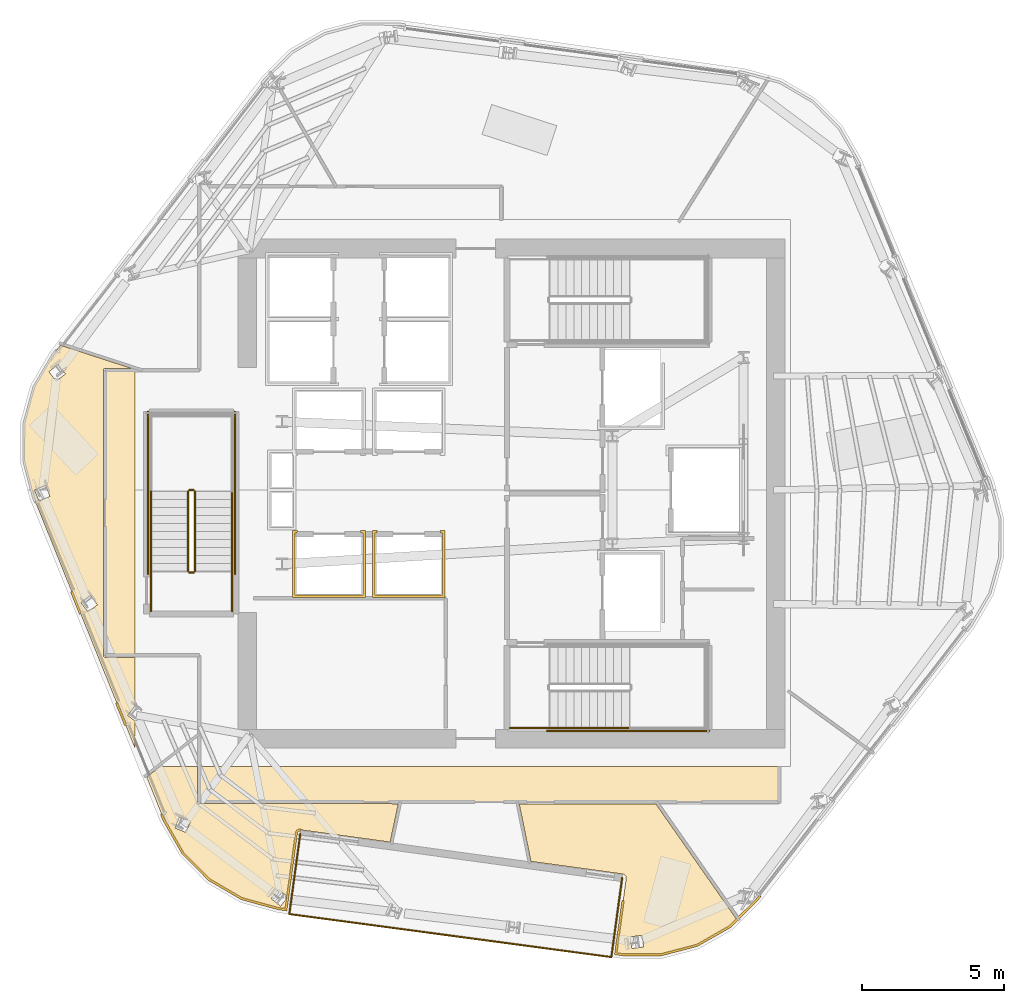
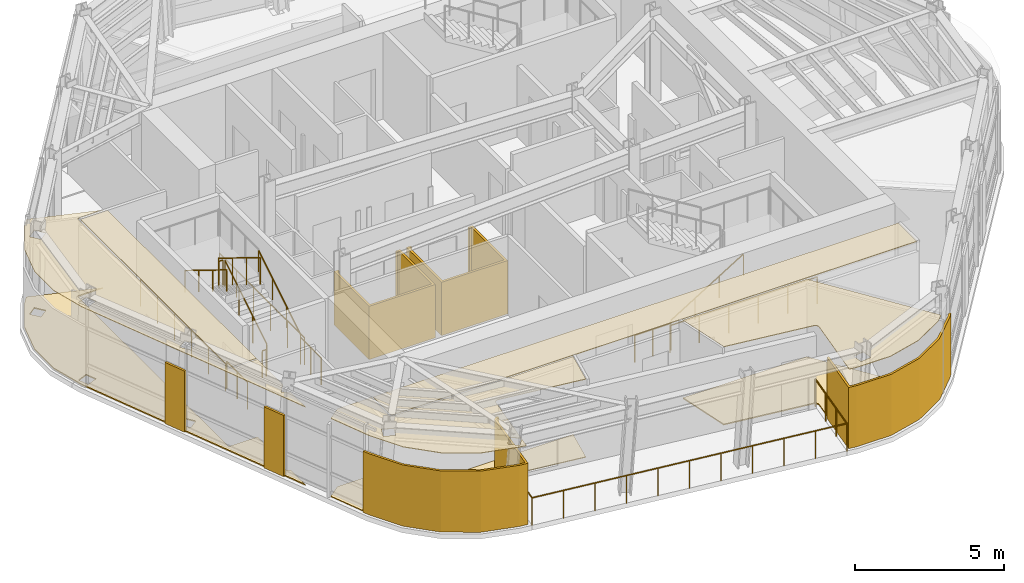
# One storey, part 8 of 12: 16 railings, 14 coverings.
"""IFC4 building model written with IfcOpenShell, lengths in metres."""

from ifc_helpers import new_model, si_unit, direction, frame, origin, origin_2d, place, context, subcontext, project, spatial, polyline, circle, outline, extrude, material, layer, layer_set, type_object, element, save


model = new_model("IFC4")

# Units and contexts
model_context = context("Model", 3, precision=1e-05, world=origin(), true_north=direction((0.0, 1.0)))
body_context = subcontext(model_context, "Body", "Model", "MODEL_VIEW")
ifc_project = project(units=[si_unit("LENGTHUNIT", "METRE"), si_unit("AREAUNIT", "SQUARE_METRE"), si_unit("VOLUMEUNIT", "CUBIC_METRE"), si_unit("PLANEANGLEUNIT", "RADIAN"), si_unit("MASSUNIT", "GRAM", prefix="KILO")], contexts=[model_context])

# Site, building, storey
site_placement = place(None, origin())
site = spatial("IfcSite", under=ifc_project, at=site_placement, CompositionType="ELEMENT")
building_placement = place(site_placement, origin())
building = spatial("IfcBuilding", under=site, at=building_placement, Name="Valkerne Bourse Tower", CompositionType="ELEMENT")
storey_placement = place(building_placement, frame((0.0, 0.0, 247.39990234375)))
storey = spatial("IfcBuildingStorey", under=building, at=storey_placement, Name="L63", CompositionType="ELEMENT", Elevation=247.39990234375)

# Coverings
ifc_material_1 = material(Name="Mineral Fiber Acoustic Ceiling Tile", Category="acoustic")
ifc_layer_1 = layer(ifc_material_1, 0.02490234375)
ifc_layer_set_1 = layer_set([ifc_layer_1], Name="Mineral Fiber Acoustic Ceiling Tile")
covering_type_1 = type_object("IfcCoveringType", Name="COV-CEIL-ACT", PredefinedType="CEILING", material=ifc_layer_set_1)
covering_1_placement = place(storey_placement, frame((0.0, 0.0, 3.190185546875)))
element("IfcCovering", 1, at=covering_1_placement, inside=storey, type_object=covering_type_1, Name="L63 Suspended Ceiling 04", PredefinedType="CEILING", context=body_context, shape_type="SweptSolid", body=[
    extrude(outline(polyline([(34.612060546875, 15.4248046875), (34.00439453125, 16.927978515625), (34.48046875, 17.300048828125), (35.781005859375, 17.300048828125), (35.781005859375, 16.059326171875), (35.794189453125, 16.019287109375), (35.8271484375, 15.99462890625), (42.83349609375, 15.990966796875), (42.54736328125, 14.64501953125), (39.412841796875, 15.074462890625), (39.35693359375, 15.0712890625), (39.2958984375, 15.03759765625), (39.269287109375, 15.00439453125), (39.2509765625, 14.95166015625), (38.947265625, 12.734130859375), (38.63037109375, 12.979248046875), (38.62841796875, 12.98046875), (38.37646484375, 12.654541015625), (38.70361328125, 12.401611328125), (38.70556640625, 12.400390625), (38.943603515625, 12.708740234375), (38.885009765625, 12.28076171875), (38.61962890625, 12.316162109375), (37.337890625, 12.6669921875), (36.198486328125, 13.332763671875), (35.2705078125, 14.2705078125), (34.612060546875, 15.4248046875)]), holes=[polyline([(35.538818359375, 15.3671875), (35.158935546875, 15.524658203125), (34.999755859375, 15.14208984375), (35.00146484375, 15.140380859375), (35.381103515625, 14.983154296875), (35.54052734375, 15.365478515625), (35.538818359375, 15.3671875)])]), origin(), (0.0, 0.0, 1.0), 0.02490234375),
])
covering_2_placement = place(storey_placement, frame((0.0, 0.0, 3.190185546875)))
element("IfcCovering", 2, at=covering_2_placement, inside=storey, type_object=covering_type_1, Name="L63 Suspended Ceiling 06", PredefinedType="CEILING", context=body_context, shape_type="SweptSolid", body=[
    extrude(outline(polyline([(52.04150390625, 10.693603515625), (50.71240234375, 10.700439453125), (50.47021484375, 10.73291015625), (50.830810546875, 13.365478515625), (50.82763671875, 13.421142578125), (50.810791015625, 13.460205078125), (50.760986328125, 13.509033203125), (50.7080078125, 13.52734375), (47.48779296875, 13.968505859375), (47.076171875, 15.990966796875), (51.8662109375, 15.990966796875), (54.7119140625, 11.92724609375), (54.464111328125, 11.68212890625), (53.31787109375, 11.028564453125), (52.04150390625, 10.693603515625)]), holes=[polyline([(51.440185546875, 10.964599609375), (51.386962890625, 11.372802734375), (50.976806640625, 11.319580078125), (50.974609375, 11.319091796875), (51.028076171875, 10.91064453125), (51.43798828125, 10.9638671875), (51.440185546875, 10.964599609375)])]), origin(), (0.0, 0.0, 1.0), 0.02490234375),
])
covering_3_placement = place(storey_placement, frame((0.0, 0.0, 3.190185546875)))
element("IfcCovering", 3, at=covering_3_placement, inside=storey, type_object=covering_type_1, Name="L63 Suspended Ceiling 08", PredefinedType="CEILING", context=body_context, shape_type="SweptSolid", body=[
    extrude(outline(polyline([(29.709228515625, 29.341064453125), (30.0576171875, 30.614013671875), (30.728271484375, 31.76171875), (30.9736328125, 32.080322265625), (33.470458984375, 31.26904296875), (32.54541015625, 31.268798828125), (32.503173828125, 31.2509765625), (32.481689453125, 31.2099609375), (32.48291015625, 21.18359375), (32.50830078125, 21.144775390625), (32.54931640625, 21.131103515625), (33.60009765625, 21.131103515625), (33.60009765625, 19.413330078125), (33.58837890625, 19.422119140625), (33.337158203125, 19.0927734375), (33.33837890625, 19.0908203125), (33.60009765625, 18.89208984375), (33.60009765625, 17.92822265625), (30.039794921875, 26.73583984375), (29.702392578125, 28.021484375), (29.709228515625, 29.341064453125)]), holes=[polyline([(32.273193359375, 22.9716796875), (32.025634765625, 23.300048828125), (31.6943359375, 23.05126953125), (31.695068359375, 23.049072265625), (31.9423828125, 22.720703125), (32.273681640625, 22.969482421875), (32.273193359375, 22.9716796875)]), polyline([(30.61083984375, 26.778076171875), (30.45458984375, 27.158447265625), (30.0712890625, 27.00146484375), (30.0712890625, 26.999267578125), (30.227294921875, 26.618896484375), (30.61083984375, 26.775634765625), (30.61083984375, 26.778076171875)]), polyline([(31.15234375, 31.07373046875), (30.900390625, 31.40234375), (30.573486328125, 31.15283203125), (30.57275390625, 31.150390625), (30.82470703125, 30.822021484375), (31.151611328125, 31.0712890625), (31.15234375, 31.07373046875)])]), origin(), (0.0, 0.0, 1.0), 0.02490234375),
])
ifc_material_2 = material(Name="Bronze Anodised Aluminium AA 6063-T6", Category="aluminium")
ifc_layer_2 = layer(ifc_material_2, 0.030029296875)
ifc_layer_set_2 = layer_set([ifc_layer_2], Name="Bronze Anodised Aluminium AA 6063-T6")
covering_type_2 = type_object("IfcCoveringType", Name="COV-CEIL-METAL", PredefinedType="CEILING", material=ifc_layer_set_2)
covering_4_placement = place(storey_placement, frame((0.0, 0.0, 3.190185546875)))
element("IfcCovering", 4, at=covering_4_placement, inside=storey, type_object=covering_type_2, Name="L63 Suspended Ceiling 01", PredefinedType="CEILING", context=body_context, shape_type="SweptSolid", body=[
    extrude(outline(polyline([(35.85400390625, 17.300048828125), (56.196044921875, 17.300048828125), (56.196044921875, 16.06396484375), (35.85400390625, 16.06396484375), (35.85400390625, 17.300048828125)])), origin(), (0.0, 0.0, 1.0), 0.02490234375),
])
covering_5_placement = place(storey_placement, frame((0.0, 0.0, 3.190185546875)))
element("IfcCovering", 5, at=covering_5_placement, inside=storey, type_object=covering_type_2, Name="L63 Suspended Ceiling 02", PredefinedType="CEILING", context=body_context, shape_type="SweptSolid", body=[
    extrude(outline(polyline([(32.553955078125, 21.2041015625), (32.553955078125, 31.196044921875), (33.60009765625, 31.196044921875), (33.60009765625, 21.2041015625), (32.553955078125, 21.2041015625)])), origin(), (0.0, 0.0, 1.0), 0.02490234375),
])
ifc_layer_3 = layer(ifc_material_2, 0.06005859375)
ifc_layer_set_3 = layer_set([ifc_layer_3], Name="Bronze Anodised Aluminium AA 6063-T6")
covering_type_3 = type_object("IfcCoveringType", Name="COV-CRN-ALUM", PredefinedType="CLADDING", material=ifc_layer_set_3)
covering_6_placement = place(storey_placement, origin())
element("IfcCovering", 6, at=covering_6_placement, inside=storey, type_object=covering_type_3, Name="L63 Wind-Shaped Corner Aluminium Cladding 01", PredefinedType="CLADDING", context=body_context, shape_type="SweptSolid", body=[
    extrude(outline(polyline([(36.17138671875, 13.297607421875), (35.235107421875, 14.243896484375), (34.572265625, 15.405517578125), (34.4912109375, 15.606689453125), (34.565185546875, 15.63671875), (34.644287109375, 15.440673828125), (35.29931640625, 14.29248046875), (36.220703125, 13.361328125), (37.35205078125, 12.700439453125), (38.626708984375, 12.3515625), (38.854248046875, 12.3212890625), (39.21533203125, 14.956298828125), (39.218505859375, 14.9736328125), (39.223388671875, 14.990478515625), (39.22998046875, 15.0068359375), (39.23828125, 15.022705078125), (39.247802734375, 15.037353515625), (39.2587890625, 15.05126953125), (39.271240234375, 15.063720703125), (39.284912109375, 15.0751953125), (39.29931640625, 15.085205078125), (39.314697265625, 15.09375), (39.3310546875, 15.1005859375), (39.347900390625, 15.10595703125), (39.365234375, 15.109619140625), (39.3828125, 15.111572265625), (39.400390625, 15.11181640625), (39.41796875, 15.110107421875), (39.4072265625, 15.031005859375), (39.3974609375, 15.03173828125), (39.3876953125, 15.031494140625), (39.377685546875, 15.030517578125), (39.3681640625, 15.028564453125), (39.35888671875, 15.025634765625), (39.349853515625, 15.021728515625), (39.34130859375, 15.01708984375), (39.3330078125, 15.011474609375), (39.32568359375, 15.005126953125), (39.31884765625, 14.998046875), (39.3125, 14.990478515625), (39.307373046875, 14.982421875), (39.302734375, 14.973388671875), (39.299072265625, 14.96435546875), (39.29638671875, 14.955078125), (39.29443359375, 14.9453125), (38.9228515625, 12.231201171875), (38.61083984375, 12.27294921875), (37.32080078125, 12.6259765625), (36.17138671875, 13.297607421875)])), origin(), (0.0, 0.0, 1.0), 2.5),
])
covering_7_placement = place(storey_placement, origin())
element("IfcCovering", 7, at=covering_7_placement, inside=storey, type_object=covering_type_3, Name="L63 Wind-Shaped Corner Aluminium Cladding 02", PredefinedType="CLADDING", context=body_context, shape_type="SweptSolid", body=[
    extrude(outline(polyline([(32.91259765625, 19.51171875), (32.986572265625, 19.541748046875), (33.301513671875, 18.76318359375), (33.227294921875, 18.73291015625), (32.91259765625, 19.51171875)])), origin(), (0.0, 0.0, 1.0), 2.5),
])
covering_8_placement = place(storey_placement, origin())
element("IfcCovering", 8, at=covering_8_placement, inside=storey, type_object=covering_type_3, Name="L63 Wind-Shaped Corner Aluminium Cladding 03", PredefinedType="CLADDING", context=body_context, shape_type="SweptSolid", body=[
    extrude(outline(polyline([(31.333984375, 23.416748046875), (31.408203125, 23.447021484375), (31.722900390625, 22.668212890625), (31.648681640625, 22.637939453125), (31.333984375, 23.416748046875)])), origin(), (0.0, 0.0, 1.0), 2.5),
])
covering_9_placement = place(storey_placement, origin())
element("IfcCovering", 9, at=covering_9_placement, inside=storey, type_object=covering_type_3, Name="L63 Wind-Shaped Corner Aluminium Cladding 16", PredefinedType="CLADDING", context=body_context, shape_type="SweptSolid", body=[
    extrude(outline(polyline([(55.44189453125, 12.587890625), (54.490966796875, 11.646728515625), (53.334716796875, 10.9873046875), (52.047119140625, 10.649658203125), (50.709228515625, 10.656494140625), (50.420654296875, 10.695068359375), (50.680419921875, 12.58984375), (50.70654296875, 12.590087890625), (50.761962890625, 12.59619140625), (50.5107421875, 10.763916015625), (50.714599609375, 10.736572265625), (52.036865234375, 10.7294921875), (53.30419921875, 11.06201171875), (54.442138671875, 11.711181640625), (55.382080078125, 12.641357421875), (55.49755859375, 12.789306640625), (55.560791015625, 12.739990234375), (55.44189453125, 12.587890625)])), origin(), (0.0, 0.0, 1.0), 2.5),
])
ifc_material_3 = material(Name="Galvanised Painted Steel", Category="steel")
ifc_layer_4 = layer(ifc_material_3, 0.044921875)
ifc_layer_set_4 = layer_set([ifc_layer_4], Name="Galvanised Painted Steel")
covering_type_4 = type_object("IfcCoveringType", Name="COV-FLR-RAF", PredefinedType="FLOORING", material=ifc_layer_set_4)
covering_10_placement = place(storey_placement, origin())
element("IfcCovering", 10, at=covering_10_placement, inside=storey, type_object=covering_type_4, Name="L63 Floor Finish 06", PredefinedType="FLOORING", context=body_context, shape_type="SweptSolid", body=[
    extrude(outline(polyline([(52.04150390625, 10.693603515625), (50.71240234375, 10.700439453125), (50.47021484375, 10.73291015625), (50.830810546875, 13.365478515625), (50.82763671875, 13.421142578125), (50.810791015625, 13.460205078125), (50.760986328125, 13.509033203125), (50.7080078125, 13.52734375), (47.48779296875, 13.968505859375), (47.076171875, 15.990966796875), (51.8662109375, 15.990966796875), (54.7119140625, 11.92724609375), (54.464111328125, 11.68212890625), (53.31787109375, 11.028564453125), (52.04150390625, 10.693603515625)]), holes=[polyline([(51.440185546875, 10.964599609375), (51.386962890625, 11.372802734375), (50.976806640625, 11.319580078125), (50.974609375, 11.319091796875), (51.028076171875, 10.91064453125), (51.43798828125, 10.9638671875), (51.440185546875, 10.964599609375)])]), origin(), (0.0, 0.0, 1.0), 0.045166015625),
])
covering_11_placement = place(storey_placement, origin())
element("IfcCovering", 11, at=covering_11_placement, inside=storey, type_object=covering_type_4, Name="L63 Floor Finish 08", PredefinedType="FLOORING", context=body_context, shape_type="SweptSolid", body=[
    extrude(outline(polyline([(29.709228515625, 29.341064453125), (30.0576171875, 30.614013671875), (30.728271484375, 31.76171875), (30.9736328125, 32.080322265625), (33.470458984375, 31.26904296875), (32.54541015625, 31.268798828125), (32.503173828125, 31.2509765625), (32.481689453125, 31.2099609375), (32.48291015625, 21.18359375), (32.50830078125, 21.144775390625), (32.54931640625, 21.131103515625), (33.60009765625, 21.131103515625), (33.60009765625, 19.413330078125), (33.58837890625, 19.422119140625), (33.337158203125, 19.0927734375), (33.33837890625, 19.0908203125), (33.60009765625, 18.89208984375), (33.60009765625, 17.92822265625), (30.039794921875, 26.73583984375), (29.702392578125, 28.021484375), (29.709228515625, 29.341064453125)]), holes=[polyline([(32.273193359375, 22.9716796875), (32.025634765625, 23.300048828125), (31.6943359375, 23.05126953125), (31.695068359375, 23.049072265625), (31.9423828125, 22.720703125), (32.273681640625, 22.969482421875), (32.273193359375, 22.9716796875)]), polyline([(30.61083984375, 26.778076171875), (30.45458984375, 27.158447265625), (30.0712890625, 27.00146484375), (30.0712890625, 26.999267578125), (30.227294921875, 26.618896484375), (30.61083984375, 26.775634765625), (30.61083984375, 26.778076171875)]), polyline([(31.15234375, 31.07373046875), (30.900390625, 31.40234375), (30.573486328125, 31.15283203125), (30.57275390625, 31.150390625), (30.82470703125, 30.822021484375), (31.151611328125, 31.0712890625), (31.15234375, 31.07373046875)])]), origin(), (0.0, 0.0, 1.0), 0.045166015625),
])
ifc_material_4 = material(Name="Polished Granite Stone", Category="masonry")
ifc_layer_5 = layer(ifc_material_4, 0.030029296875)
ifc_layer_set_5 = layer_set([ifc_layer_5], Name="Polished Granite Stone")
covering_type_5 = type_object("IfcCoveringType", Name="COV-FLR-TERRAZZO", PredefinedType="FLOORING", material=ifc_layer_set_5)
covering_12_placement = place(storey_placement, origin())
element("IfcCovering", 12, at=covering_12_placement, inside=storey, type_object=covering_type_5, Name="L63 Floor Finish 04", PredefinedType="FLOORING", context=body_context, shape_type="SweptSolid", body=[
    extrude(outline(polyline([(34.612060546875, 15.4248046875), (34.00439453125, 16.927978515625), (34.48046875, 17.300048828125), (35.781005859375, 17.300048828125), (35.781005859375, 16.059326171875), (35.794189453125, 16.019287109375), (35.8271484375, 15.99462890625), (42.83349609375, 15.990966796875), (42.54736328125, 14.64501953125), (39.412841796875, 15.074462890625), (39.35693359375, 15.0712890625), (39.2958984375, 15.03759765625), (39.269287109375, 15.00439453125), (39.2509765625, 14.95166015625), (38.947265625, 12.734130859375), (38.63037109375, 12.979248046875), (38.62841796875, 12.98046875), (38.37646484375, 12.654541015625), (38.70361328125, 12.401611328125), (38.70556640625, 12.400390625), (38.943603515625, 12.708740234375), (38.885009765625, 12.28076171875), (38.61962890625, 12.316162109375), (37.337890625, 12.6669921875), (36.198486328125, 13.332763671875), (35.2705078125, 14.2705078125), (34.612060546875, 15.4248046875)]), holes=[polyline([(35.538818359375, 15.3671875), (35.158935546875, 15.524658203125), (34.999755859375, 15.14208984375), (35.00146484375, 15.140380859375), (35.381103515625, 14.983154296875), (35.54052734375, 15.365478515625), (35.538818359375, 15.3671875)])]), origin(), (0.0, 0.0, 1.0), 0.030029296875),
])
ifc_material_5 = material(Name="Gypsum Shaftwall Liner Board", Category="gypsum")
ifc_layer_6 = layer(ifc_material_5, 0.080078125)
ifc_layer_set_6 = layer_set([ifc_layer_6], Name="Gypsum Shaftwall Liner Board")
covering_type_6 = type_object("IfcCoveringType", Name="COV-SHF-CLAD", PredefinedType="CLADDING", material=ifc_layer_set_6)
covering_13_placement = place(storey_placement, origin())
element("IfcCovering", 13, at=covering_13_placement, inside=storey, type_object=covering_type_6, Name="L63 Hoistway & Riser Shaftwall Liner 01", PredefinedType="CLADDING", context=body_context, shape_type="SweptSolid", body=[
    extrude(outline(polyline([(39.29931640625, 25.580078125), (39.28857421875, 25.537841796875), (39.2822265625, 25.494140625), (39.281982421875, 25.489990234375), (39.2099609375, 25.489990234375), (39.2099609375, 23.31005859375), (41.590087890625, 23.31005859375), (41.590087890625, 25.489990234375), (41.51806640625, 25.489990234375), (41.517822265625, 25.494140625), (41.511474609375, 25.537841796875), (41.500732421875, 25.580078125), (41.679931640625, 25.580078125), (41.679931640625, 23.219970703125), (39.1201171875, 23.219970703125), (39.1201171875, 25.580078125), (39.29931640625, 25.580078125)])), origin(), (0.0, 0.0, 1.0), 2.18017578125),
])
covering_14_placement = place(storey_placement, origin())
element("IfcCovering", 14, at=covering_14_placement, inside=storey, type_object=covering_type_6, Name="L63 Hoistway & Riser Shaftwall Liner 02", PredefinedType="CLADDING", context=body_context, shape_type="SweptSolid", body=[
    extrude(outline(polyline([(44.47998046875, 23.219970703125), (41.919921875, 23.219970703125), (41.919921875, 25.580078125), (42.09912109375, 25.580078125), (42.088623046875, 25.537841796875), (42.082275390625, 25.494140625), (42.08203125, 25.489990234375), (42.010009765625, 25.489990234375), (42.010009765625, 23.31005859375), (44.389892578125, 23.31005859375), (44.389892578125, 25.489990234375), (44.318115234375, 25.489990234375), (44.31787109375, 25.494140625), (44.311279296875, 25.537841796875), (44.30078125, 25.580078125), (44.47998046875, 25.580078125), (44.47998046875, 23.219970703125)])), origin(), (0.0, 0.0, 1.0), 2.18017578125),
])

# Railings
ifc_material_6 = material(Name="Laminated Tempered Safety Glass", Category="glass")
railing_type_1 = type_object("IfcRailingType", Name="RLG-GUARD-1150", PredefinedType="BALUSTRADE", material=ifc_material_6)
railing_1_placement = place(storey_placement, frame((39.00830078125, 12.118896484375, 0.0)))
element("IfcRailing", 15, at=railing_1_placement, inside=storey, type_object=railing_type_1, Name="L63 V-Notch Terrace Glass Balustrade 1", PredefinedType="BALUSTRADE", context=body_context, shape_type="SweptSolid", body=[
    extrude(circle(Radius=0.02392578125, at=origin_2d()), frame((0.0, 0.0, 1.1259765625), z_axis=(0.13568875955, 0.99075151301, 0.0), x_axis=(-0.99075151301, 0.13568875955, 0.0)), (0.0, 0.0, 1.0), 2.83935546875),
    extrude(circle(Radius=0.02099609375, at=origin_2d()), origin(), (0.0, 0.0, 1.0), 1.101806640625),
    extrude(circle(Radius=0.02099609375, at=origin_2d()), frame((0.12841796875, 0.937744140625, 0.0)), (0.0, 0.0, 1.0), 1.101806640625),
    extrude(circle(Radius=0.02099609375, at=origin_2d()), frame((0.2568359375, 1.875244140625, 0.0)), (0.0, 0.0, 1.0), 1.101806640625),
    extrude(circle(Radius=0.02099609375, at=origin_2d()), frame((0.38525390625, 2.81298828125, 0.0)), (0.0, 0.0, 1.0), 1.101806640625),
])
railing_2_placement = place(storey_placement, frame((50.688232421875, 13.384765625, 0.0)))
element("IfcRailing", 16, at=railing_2_placement, inside=storey, type_object=railing_type_1, Name="L63 V-Notch Terrace Glass Balustrade 2", PredefinedType="BALUSTRADE", context=body_context, shape_type="SweptSolid", body=[
    extrude(circle(Radius=0.02392578125, at=origin_2d()), frame((0.0, 0.0, 1.1259765625), z_axis=(-0.135696555533, -0.990750445277, 0.0), x_axis=(0.990750445277, -0.135696555533, 0.0)), (0.0, 0.0, 1.0), 2.80126953125),
    extrude(circle(Radius=0.02099609375, at=origin_2d()), origin(), (0.0, 0.0, 1.0), 1.101806640625),
    extrude(circle(Radius=0.02099609375, at=origin_2d()), frame((-0.126708984375, -0.925048828125, 0.0)), (0.0, 0.0, 1.0), 1.101806640625),
    extrude(circle(Radius=0.02099609375, at=origin_2d()), frame((-0.25341796875, -1.850341796875, 0.0)), (0.0, 0.0, 1.0), 1.101806640625),
    extrude(circle(Radius=0.02099609375, at=origin_2d()), frame((-0.380126953125, -2.775390625, 0.0)), (0.0, 0.0, 1.0), 1.101806640625),
])
railing_3_placement = place(storey_placement, frame((50.30810546875, 10.609375, 0.0)))
element("IfcRailing", 17, at=railing_3_placement, inside=storey, type_object=railing_type_1, Name="L63 V-Notch Terrace Glass Balustrade 3", PredefinedType="BALUSTRADE", context=body_context, shape_type="SweptSolid", body=[
    extrude(circle(Radius=0.02392578125, at=origin_2d()), frame((0.0, 0.0, 1.1259765625), z_axis=(-0.991194764411, 0.132412004761, 0.0), x_axis=(-0.132412004761, -0.991194764411, 0.0)), (0.0, 0.0, 1.0), 11.400146484375),
    extrude(circle(Radius=0.02099609375, at=origin_2d()), origin(), (0.0, 0.0, 1.0), 1.101806640625),
    extrude(circle(Radius=0.02099609375, at=origin_2d()), frame((-1.1298828125, 0.15087890625, 0.0)), (0.0, 0.0, 1.0), 1.101806640625),
    extrude(circle(Radius=0.02099609375, at=origin_2d()), frame((-2.260009765625, 0.302001953125, 0.0)), (0.0, 0.0, 1.0), 1.101806640625),
    extrude(circle(Radius=0.02099609375, at=origin_2d()), frame((-3.389892578125, 0.452880859375, 0.0)), (0.0, 0.0, 1.0), 1.101806640625),
    extrude(circle(Radius=0.02099609375, at=origin_2d()), frame((-4.52001953125, 0.603759765625, 0.0)), (0.0, 0.0, 1.0), 1.101806640625),
    extrude(circle(Radius=0.02099609375, at=origin_2d()), frame((-5.64990234375, 0.7548828125, 0.0)), (0.0, 0.0, 1.0), 1.101806640625),
    extrude(circle(Radius=0.02099609375, at=origin_2d()), frame((-6.77978515625, 0.90576171875, 0.0)), (0.0, 0.0, 1.0), 1.101806640625),
    extrude(circle(Radius=0.02099609375, at=origin_2d()), frame((-7.909912109375, 1.056640625, 0.0)), (0.0, 0.0, 1.0), 1.101806640625),
    extrude(circle(Radius=0.02099609375, at=origin_2d()), frame((-9.039794921875, 1.20751953125, 0.0)), (0.0, 0.0, 1.0), 1.101806640625),
    extrude(circle(Radius=0.02099609375, at=origin_2d()), frame((-10.169921875, 1.358642578125, 0.0)), (0.0, 0.0, 1.0), 1.101806640625),
    extrude(circle(Radius=0.02099609375, at=origin_2d()), frame((-11.2998046875, 1.509521484375, 0.0)), (0.0, 0.0, 1.0), 1.101806640625),
])
railing_type_2 = type_object("IfcRailingType", Name="RLG-ST-GUARD-1120", PredefinedType="GUARDRAIL", material=ifc_material_3)
railing_4_placement = place(storey_placement, frame((46.75, 18.64990234375, 0.0)))
element("IfcRailing", 18, at=railing_4_placement, inside=storey, type_object=railing_type_2, Name="L63 ST-1 stair guard 8", PredefinedType="GUARDRAIL", context=body_context, shape_type="SweptSolid", body=[
    extrude(circle(Radius=0.02392578125, at=origin_2d()), frame((0.0, 0.0, 1.09619140625), z_axis=(1.0, 0.0, 0.0), x_axis=(0.0, 1.0, 0.0)), (0.0, 0.0, 1.0), 1.39990234375),
    extrude(circle(Radius=0.02099609375, at=origin_2d()), origin(), (0.0, 0.0, 1.0), 1.072021484375),
    extrude(circle(Radius=0.02099609375, at=origin_2d()), frame((0.699951171875, 0.0, 0.0)), (0.0, 0.0, 1.0), 1.072021484375),
    extrude(circle(Radius=0.02099609375, at=origin_2d()), frame((1.39990234375, 0.0, 0.0)), (0.0, 0.0, 1.0), 1.072021484375),
])
railing_5_placement = place(storey_placement, frame((48.050048828125, 18.550048828125, 0.0)))
element("IfcRailing", 19, at=railing_5_placement, inside=storey, type_object=railing_type_2, Name="L63 ST-1 stair guard 10", PredefinedType="GUARDRAIL", context=body_context, shape_type="SweptSolid", body=[
    extrude(circle(Radius=0.02392578125, at=origin_2d()), frame((0.0, 0.0, 1.09619140625), z_axis=(1.0, 0.0, 0.0), x_axis=(0.0, 1.0, 0.0)), (0.0, 0.0, 1.0), 5.699951171875),
    extrude(circle(Radius=0.02099609375, at=origin_2d()), origin(), (0.0, 0.0, 1.0), 1.072021484375),
    extrude(circle(Radius=0.02099609375, at=origin_2d()), frame((1.139892578125, 0.0, 0.0)), (0.0, 0.0, 1.0), 1.072021484375),
    extrude(circle(Radius=0.02099609375, at=origin_2d()), frame((2.280029296875, 0.0, 0.0)), (0.0, 0.0, 1.0), 1.072021484375),
    extrude(circle(Radius=0.02099609375, at=origin_2d()), frame((3.419921875, 0.0, 0.0)), (0.0, 0.0, 1.0), 1.072021484375),
    extrude(circle(Radius=0.02099609375, at=origin_2d()), frame((4.56005859375, 0.0, 0.0)), (0.0, 0.0, 1.0), 1.072021484375),
    extrude(circle(Radius=0.02099609375, at=origin_2d()), frame((5.699951171875, 0.0, 0.0)), (0.0, 0.0, 1.0), 1.072021484375),
])
railing_6_placement = place(storey_placement, frame((35.699951171875, 24.14990234375, 0.1728515625)))
element("IfcRailing", 20, at=railing_6_placement, inside=storey, type_object=railing_type_2, Name="L63 ST-3 stair guard 1", PredefinedType="GUARDRAIL", context=body_context, shape_type="SweptSolid", body=[
    extrude(circle(Radius=0.02392578125, at=origin_2d()), frame((0.0, 0.0, 1.09619140625), z_axis=(0.0, 0.851089632645, 0.525020415988), x_axis=(-1.0, 0.0, 0.0)), (0.0, 0.0, 1.0), 3.2900390625),
    extrude(circle(Radius=0.02099609375, at=origin_2d()), origin(), (0.0, 0.0, 1.0), 1.072021484375),
    extrude(circle(Radius=0.02099609375, at=origin_2d()), frame((0.0, 0.933349609375, 0.57568359375)), (0.0, 0.0, 1.0), 1.072021484375),
    extrude(circle(Radius=0.02099609375, at=origin_2d()), frame((0.0, 1.86669921875, 1.151611328125)), (0.0, 0.0, 1.0), 1.072021484375),
    extrude(circle(Radius=0.02099609375, at=origin_2d()), frame((0.0, 2.800048828125, 1.727294921875)), (0.0, 0.0, 1.0), 1.072021484375),
])
railing_7_placement = place(storey_placement, frame((35.64990234375, 27.0, 1.900146484375)))
element("IfcRailing", 21, at=railing_7_placement, inside=storey, type_object=railing_type_2, Name="L63 ST-3 stair guard 2", PredefinedType="GUARDRAIL", context=body_context, shape_type="SweptSolid", body=[
    extrude(circle(Radius=0.02392578125, at=origin_2d()), frame((0.0, 0.0, 1.09619140625), z_axis=(-1.0, 0.0, 0.0), x_axis=(0.0, -1.0, 0.0)), (0.0, 0.0, 1.0), 0.14990234375),
    extrude(circle(Radius=0.02099609375, at=origin_2d()), origin(), (0.0, 0.0, 1.0), 1.072021484375),
    extrude(circle(Radius=0.02099609375, at=origin_2d()), frame((-0.14990234375, 0.0, 0.0)), (0.0, 0.0, 1.0), 1.072021484375),
])
railing_8_placement = place(storey_placement, frame((35.449951171875, 26.949951171875, 2.07275390625)))
element("IfcRailing", 22, at=railing_8_placement, inside=storey, type_object=railing_type_2, Name="L63 ST-3 stair guard 6", PredefinedType="GUARDRAIL", context=body_context, shape_type="SweptSolid", body=[
    extrude(circle(Radius=0.02392578125, at=origin_2d()), frame((0.0, 0.0, 1.09619140625), z_axis=(0.0, -0.851089632645, 0.525020415988), x_axis=(1.0, 0.0, 0.0)), (0.0, 0.0, 1.0), 3.2900390625),
    extrude(circle(Radius=0.02099609375, at=origin_2d()), origin(), (0.0, 0.0, 1.0), 1.072021484375),
    extrude(circle(Radius=0.02099609375, at=origin_2d()), frame((0.0, -0.933349609375, 0.57568359375)), (0.0, 0.0, 1.0), 1.072021484375),
    extrude(circle(Radius=0.02099609375, at=origin_2d()), frame((0.0, -1.86669921875, 1.151611328125)), (0.0, 0.0, 1.0), 1.072021484375),
    extrude(circle(Radius=0.02099609375, at=origin_2d()), frame((0.0, -2.800048828125, 1.727294921875)), (0.0, 0.0, 1.0), 1.072021484375),
])
railing_9_placement = place(storey_placement, frame((35.64990234375, 24.10009765625, 0.0)))
element("IfcRailing", 23, at=railing_9_placement, inside=storey, type_object=railing_type_2, Name="L63 ST-3 stair guard 7", PredefinedType="GUARDRAIL", context=body_context, shape_type="SweptSolid", body=[
    extrude(circle(Radius=0.02392578125, at=origin_2d()), frame((0.0, 0.0, 1.09619140625), z_axis=(-1.0, 0.0, 0.0), x_axis=(0.0, -1.0, 0.0)), (0.0, 0.0, 1.0), 0.14990234375),
    extrude(circle(Radius=0.02099609375, at=origin_2d()), origin(), (0.0, 0.0, 1.0), 1.072021484375),
    extrude(circle(Radius=0.02099609375, at=origin_2d()), frame((-0.14990234375, 0.0, 0.0)), (0.0, 0.0, 1.0), 1.072021484375),
])
for number, where, name in (
    (24, (37.0, 22.75, 0.0), "L63 ST-3 stair guard 8"),
    (25, (34.14990234375, 22.75, 0.0), "L63 ST-3 stair guard 9"),
):
    element("IfcRailing", number, at=place(storey_placement, frame(where)), inside=storey, type_object=railing_type_2, Name=name, PredefinedType="GUARDRAIL", context=body_context, shape_type="SweptSolid", body=[
        extrude(circle(Radius=0.02392578125, at=origin_2d()), frame((0.0, 0.0, 1.09619140625), z_axis=(0.0, 1.0, 0.0), x_axis=(-1.0, 0.0, 0.0)), (0.0, 0.0, 1.0), 1.39990234375),
        extrude(circle(Radius=0.02099609375, at=origin_2d()), origin(), (0.0, 0.0, 1.0), 1.072021484375),
        extrude(circle(Radius=0.02099609375, at=origin_2d()), frame((0.0, 0.699951171875, 0.0)), (0.0, 0.0, 1.0), 1.072021484375),
        extrude(circle(Radius=0.02099609375, at=origin_2d()), frame((0.0, 1.39990234375, 0.0)), (0.0, 0.0, 1.0), 1.072021484375),
    ])
for number, where, name in (
    (26, (37.10009765625, 24.050048828125, 0.0), "L63 ST-3 stair guard 10"),
    (27, (34.050048828125, 24.050048828125, 0.0), "L63 ST-3 stair guard 11"),
):
    element("IfcRailing", number, at=place(storey_placement, frame(where)), inside=storey, type_object=railing_type_2, Name=name, PredefinedType="GUARDRAIL", context=body_context, shape_type="SweptSolid", body=[
        extrude(circle(Radius=0.02392578125, at=origin_2d()), frame((0.0, 0.0, 1.09619140625), z_axis=(0.0, 1.0, 0.0), x_axis=(-1.0, 0.0, 0.0)), (0.0, 0.0, 1.0), 5.699951171875),
        extrude(circle(Radius=0.02099609375, at=origin_2d()), origin(), (0.0, 0.0, 1.0), 1.072021484375),
        extrude(circle(Radius=0.02099609375, at=origin_2d()), frame((0.0, 1.139892578125, 0.0)), (0.0, 0.0, 1.0), 1.072021484375),
        extrude(circle(Radius=0.02099609375, at=origin_2d()), frame((0.0, 2.280029296875, 0.0)), (0.0, 0.0, 1.0), 1.072021484375),
        extrude(circle(Radius=0.02099609375, at=origin_2d()), frame((0.0, 3.419921875, 0.0)), (0.0, 0.0, 1.0), 1.072021484375),
        extrude(circle(Radius=0.02099609375, at=origin_2d()), frame((0.0, 4.56005859375, 0.0)), (0.0, 0.0, 1.0), 1.072021484375),
        extrude(circle(Radius=0.02099609375, at=origin_2d()), frame((0.0, 5.699951171875, 0.0)), (0.0, 0.0, 1.0), 1.072021484375),
    ])
ifc_material_7 = material(Name="Stainless Steel AISI 316", Category="steel")
railing_type_3 = type_object("IfcRailingType", Name="RLG-ST-HANDRAIL-900", PredefinedType="HANDRAIL", material=ifc_material_7)
railing_10_placement = place(storey_placement, frame((48.14990234375, 18.64990234375, 0.345458984375)))
element("IfcRailing", 28, at=railing_10_placement, inside=storey, type_object=railing_type_3, Name="L63 ST-1 stair handrail 1", PredefinedType="HANDRAIL", context=body_context, shape_type="SweptSolid", body=[
    extrude(circle(Radius=0.02392578125, at=origin_2d()), frame((0.0, 0.0, 0.8759765625), z_axis=(0.851089632645, 0.0, 0.525020415988), x_axis=(0.0, 1.0, 0.0)), (0.0, 0.0, 1.0), 3.2900390625),
    extrude(circle(Radius=0.02099609375, at=origin_2d()), origin(), (0.0, 0.0, 1.0), 0.851806640625),
    extrude(circle(Radius=0.02099609375, at=origin_2d()), frame((0.933349609375, 0.0, 0.57568359375)), (0.0, 0.0, 1.0), 0.851806640625),
    extrude(circle(Radius=0.02099609375, at=origin_2d()), frame((1.86669921875, 0.0, 1.151611328125)), (0.0, 0.0, 1.0), 0.851806640625),
    extrude(circle(Radius=0.02099609375, at=origin_2d()), frame((2.800048828125, 0.0, 1.727294921875)), (0.0, 0.0, 1.0), 0.851806640625),
])
railing_11_placement = place(storey_placement, frame((37.0, 24.14990234375, 0.345458984375)))
element("IfcRailing", 29, at=railing_11_placement, inside=storey, type_object=railing_type_3, Name="L63 ST-3 stair handrail 1", PredefinedType="HANDRAIL", context=body_context, shape_type="SweptSolid", body=[
    extrude(circle(Radius=0.02392578125, at=origin_2d()), frame((0.0, 0.0, 0.8759765625), z_axis=(0.0, 0.851089632645, 0.525020415988), x_axis=(-1.0, 0.0, 0.0)), (0.0, 0.0, 1.0), 3.2900390625),
    extrude(circle(Radius=0.02099609375, at=origin_2d()), origin(), (0.0, 0.0, 1.0), 0.851806640625),
    extrude(circle(Radius=0.02099609375, at=origin_2d()), frame((0.0, 0.933349609375, 0.57568359375)), (0.0, 0.0, 1.0), 0.851806640625),
    extrude(circle(Radius=0.02099609375, at=origin_2d()), frame((0.0, 1.86669921875, 1.151611328125)), (0.0, 0.0, 1.0), 0.851806640625),
    extrude(circle(Radius=0.02099609375, at=origin_2d()), frame((0.0, 2.800048828125, 1.727294921875)), (0.0, 0.0, 1.0), 0.851806640625),
])
railing_12_placement = place(storey_placement, frame((34.14990234375, 26.949951171875, 2.24560546875)))
element("IfcRailing", 30, at=railing_12_placement, inside=storey, type_object=railing_type_3, Name="L63 ST-3 stair handrail 2", PredefinedType="HANDRAIL", context=body_context, shape_type="SweptSolid", body=[
    extrude(circle(Radius=0.02392578125, at=origin_2d()), frame((0.0, 0.0, 0.8759765625), z_axis=(0.0, -0.851089632645, 0.525020415988), x_axis=(1.0, 0.0, 0.0)), (0.0, 0.0, 1.0), 3.2900390625),
    extrude(circle(Radius=0.02099609375, at=origin_2d()), origin(), (0.0, 0.0, 1.0), 0.851806640625),
    extrude(circle(Radius=0.02099609375, at=origin_2d()), frame((0.0, -0.933349609375, 0.57568359375)), (0.0, 0.0, 1.0), 0.851806640625),
    extrude(circle(Radius=0.02099609375, at=origin_2d()), frame((0.0, -1.86669921875, 1.151611328125)), (0.0, 0.0, 1.0), 0.851806640625),
    extrude(circle(Radius=0.02099609375, at=origin_2d()), frame((0.0, -2.800048828125, 1.727294921875)), (0.0, 0.0, 1.0), 0.851806640625),
])

save(model, "model.ifc")
